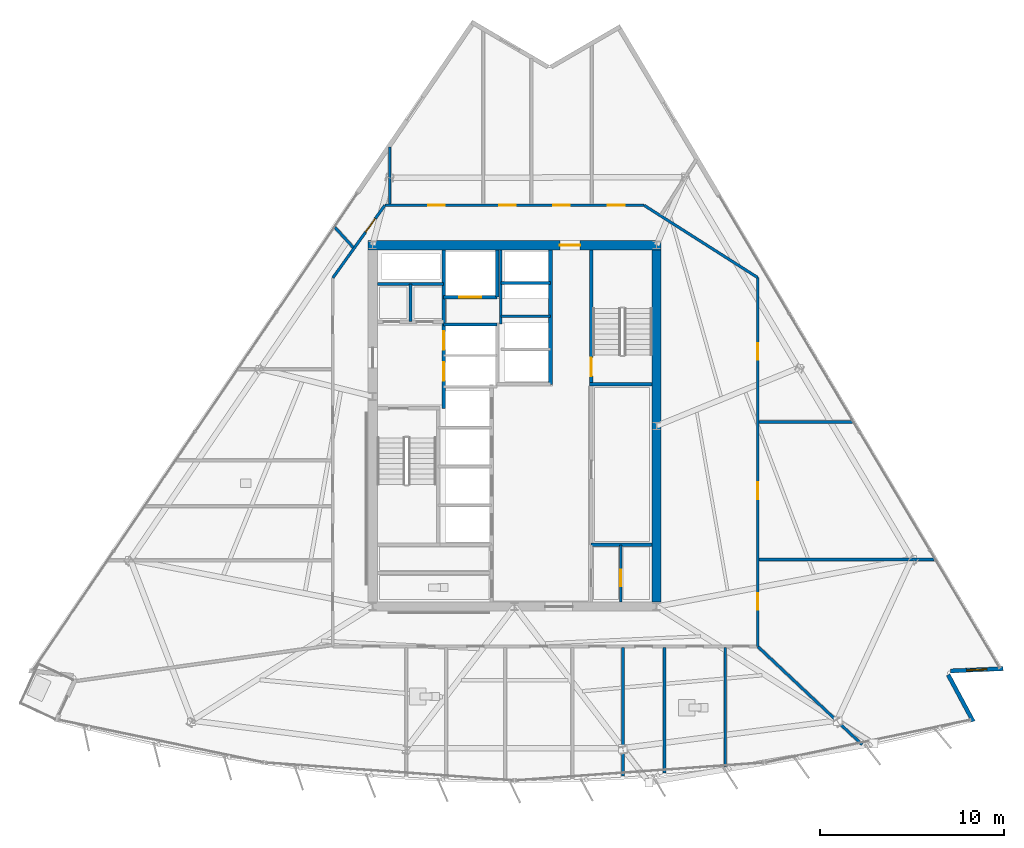
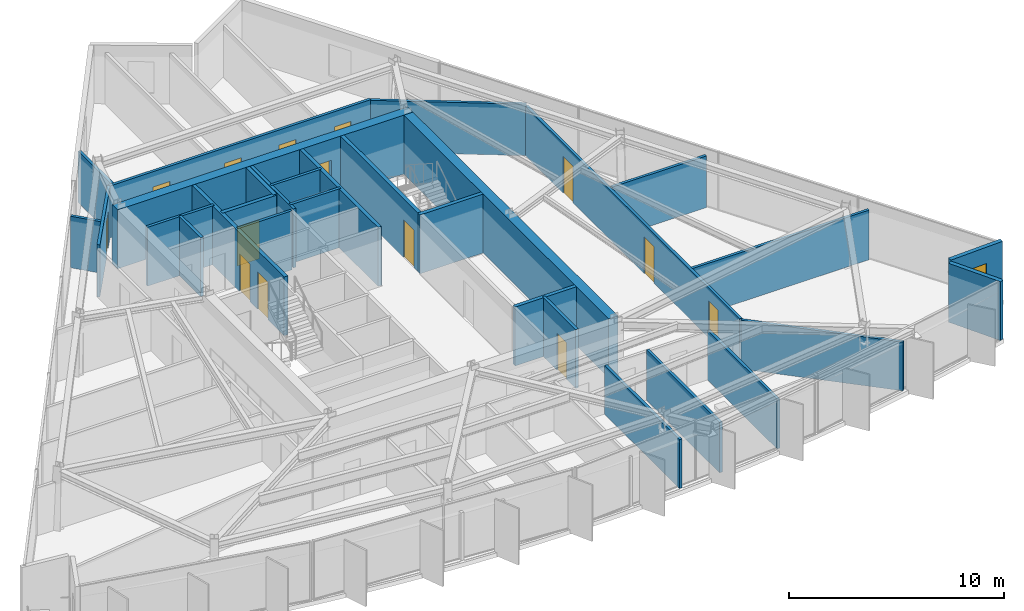
# One storey, part 9 of 15: 30 walls, 14 doors, 1 window, 15 openings.
"""IFC4 building model written with IfcOpenShell, lengths in metres."""

from ifc_helpers import new_model, si_unit, direction, frame, frame_2d, origin, place, context, subcontext, project, spatial, rectangle, extrude, material, layer, layer_set, type_object, element, fill, save


model = new_model("IFC4")

# Units and contexts
model_context = context("Model", 3, precision=1e-05, world=origin(), true_north=direction((0.0, 1.0)))
body_context = subcontext(model_context, "Body", "Model", "MODEL_VIEW")
ifc_project = project(units=[si_unit("LENGTHUNIT", "METRE"), si_unit("AREAUNIT", "SQUARE_METRE"), si_unit("VOLUMEUNIT", "CUBIC_METRE"), si_unit("PLANEANGLEUNIT", "RADIAN"), si_unit("MASSUNIT", "GRAM", prefix="KILO")], contexts=[model_context])

# Site, building, storey
site_placement = place(None, origin())
site = spatial("IfcSite", under=ifc_project, at=site_placement, CompositionType="ELEMENT")
building_placement = place(site_placement, origin())
building = spatial("IfcBuilding", under=site, at=building_placement, Name="Savorim Split Tower", CompositionType="ELEMENT")
storey_placement = place(building_placement, frame((0.0, 0.0, 167.39990234375)))
storey = spatial("IfcBuildingStorey", under=building, at=storey_placement, Name="L44", CompositionType="ELEMENT", Elevation=167.39990234375)

# Wall, opening, door
ifc_material_1 = material(Name="Concrete C60/75", Category="concrete")
ifc_layer_1 = layer(ifc_material_1, 0.5)
ifc_layer_set_1 = layer_set([ifc_layer_1], Name="WAL-COR-SH500")
wall_type_1 = type_object("IfcWallType", Name="WAL-COR-SH500", PredefinedType="SHEAR", material=ifc_layer_set_1)
wall_1_placement = place(storey_placement, frame((7.949951171875, 10.199951171875, 0.0), z_axis=(0.0, 0.0, 1.0), x_axis=(-1.0, 0.0, 0.0)))
wall_1 = element("IfcWall", 1, at=wall_1_placement, inside=storey, type_object=wall_type_1, Name="L44 Offset Core North Shear Wall", PredefinedType="SHEAR", context=body_context, shape_type="SweptSolid", body=[
    extrude(rectangle(XDim=15.89990234375, YDim=0.5, at=frame_2d((7.949951171875, 0.0))), origin(), (0.0, 0.0, 1.0), 3.35009765625),
])
opening_1_placement = place(wall_1_placement, frame((4.39990234375, 0.0, 0.0)))
opening_1 = element("IfcOpeningElement", 2, at=opening_1_placement, cuts=wall_1, Name="Opening DI-03", PredefinedType="OPENING", context=body_context, shape_type="SweptSolid", body=[
    extrude(rectangle(XDim=1.10009765625, YDim=2.14990234375, at=frame_2d((0.550048828125, 1.074951171875))), frame((0.0, 0.260009765625, 0.0), z_axis=(0.0, -1.0, 0.0), x_axis=(1.0, 0.0, 0.0)), (0.0, 0.0, 1.0), 0.52001953125),
])
ifc_material_2 = material(Name="Timber Fire Door Leaf", Category="wood")
door_type_1 = type_object("IfcDoorType", Name="DOR-FIR-1100", OperationType="NOTDEFINED", PredefinedType="DOOR", material=ifc_material_2)
door_1_placement = place(opening_1_placement, origin())
door_1 = element("IfcDoor", 3, at=door_1_placement, inside=storey, type_object=door_type_1, Name="DOR-L44-COR-NLOB - L44 North Corridor Lobby Fire Door", OperationType="SINGLE_SWING_LEFT", OverallHeight=2.14990234375, OverallWidth=1.10009765625, PredefinedType="DOOR", context=body_context, shape_type="SweptSolid", body=[
    extrude(rectangle(XDim=1.10009765625, YDim=2.14990234375, at=frame_2d((0.550048828125, 1.074951171875))), frame((0.0, 0.02490234375, 0.0), z_axis=(0.0, -1.0, 0.0), x_axis=(1.0, 0.0, 0.0)), (0.0, 0.0, 1.0), 0.050048828125),
])
fill(opening_1, door_1)

# Walls
wall_2_placement = place(storey_placement, frame((7.699951171875, 9.949951171875, 0.0), z_axis=(0.0, 0.0, 1.0), x_axis=(0.0, -1.0, 0.0)))
element("IfcWall", 4, at=wall_2_placement, inside=storey, type_object=wall_type_1, Name="L44 Offset Core East Shear Wall", PredefinedType="SHEAR", context=body_context, shape_type="SweptSolid", body=[
    extrude(rectangle(XDim=19.099853515625, YDim=0.5, at=frame_2d((9.5498046875, 0.0))), origin(), (0.0, 0.0, 1.0), 3.35009765625),
])
ifc_material_3 = material(Name="Precast concrete C40/50", Category="concrete")
ifc_layer_2 = layer(ifc_material_3, 0.219970703125)
ifc_layer_set_2 = layer_set([ifc_layer_2], Name="WAL-EXT-CRN220")
wall_type_2 = type_object("IfcWallType", Name="WAL-EXT-CRN220", PredefinedType="SOLIDWALL", material=ifc_layer_set_2)
wall_3_placement = place(storey_placement, frame((23.51123046875, -13.102294921875, 0.0), z_axis=(0.0, 0.0, 1.0), x_axis=(0.472804807667, -0.881167188362, 0.0)))
element("IfcWall", 5, at=wall_3_placement, inside=storey, type_object=wall_type_2, Name="L44 Notched Corner Facade Wall SE1", PredefinedType="SOLIDWALL", context=body_context, shape_type="SweptSolid", body=[
    extrude(rectangle(XDim=2.867919921875, YDim=0.219970703125, at=frame_2d((1.43408203125, 0.0))), origin(), (0.0, 0.0, 1.0), 3.35009765625),
])

# Wall, opening, window
wall_4_placement = place(storey_placement, frame((26.495849609375, -12.766845703125, 0.0), z_axis=(0.0, 0.0, 1.0), x_axis=(-0.999095763679, -0.042516526188, 0.0)))
wall_4 = element("IfcWall", 6, at=wall_4_placement, inside=storey, type_object=wall_type_2, Name="L44 Notched Corner Facade Wall SE", PredefinedType="SOLIDWALL", context=body_context, shape_type="SweptSolid", body=[
    extrude(rectangle(XDim=2.865478515625, YDim=0.219970703125, at=frame_2d((1.4326171875, 0.0))), origin(), (0.0, 0.0, 1.0), 3.35009765625),
])
opening_2_placement = place(wall_4_placement, frame((0.8828125, 0.0, 0.6201171875)))
opening_2 = element("IfcOpeningElement", 7, at=opening_2_placement, cuts=wall_4, Name="Opening WN-09", PredefinedType="OPENING", context=body_context, shape_type="SweptSolid", body=[
    extrude(rectangle(XDim=1.10009765625, YDim=1.800048828125, at=frame_2d((0.550048828125, 0.89990234375))), frame((0.0, 0.119873046875, 0.0), z_axis=(0.0, -1.0, 0.0), x_axis=(1.0, 0.0, 0.0)), (0.0, 0.0, 1.0), 0.239990234375),
])
ifc_material_4 = material(Name="Low-E Operable Double Glazing", Category="glass")
window_type = type_object("IfcWindowType", Name="WIN-TWR-1100x1800", PartitioningType="SINGLE_PANEL", PredefinedType="WINDOW", material=ifc_material_4)
window_placement = place(opening_2_placement, origin())
window = element("IfcWindow", 8, at=window_placement, inside=storey, type_object=window_type, Name="L44 Operable Corner Window SE", OverallHeight=1.800048828125, OverallWidth=1.10009765625, PartitioningType="SINGLE_PANEL", PredefinedType="WINDOW", context=body_context, shape_type="SweptSolid", body=[
    extrude(rectangle(XDim=1.10009765625, YDim=1.800048828125, at=frame_2d((0.550048828125, 0.89990234375))), frame((0.0, 0.030029296875, 0.0), z_axis=(0.0, -1.0, 0.0), x_axis=(1.0, 0.0, 0.0)), (0.0, 0.0, 1.0), 0.06005859375),
])
fill(opening_2, window)

# Wall, openings, doors
ifc_material_5 = material(Name="Concrete C50/60", Category="concrete")
ifc_layer_3 = layer(ifc_material_5, 0.199951171875)
ifc_layer_set_3 = layer_set([ifc_layer_3], Name="WAL-INT-RC200")
wall_type_3 = type_object("IfcWallType", Name="WAL-INT-RC200", PredefinedType="SOLIDWALL", material=ifc_layer_set_3)
wall_5_placement = place(storey_placement, frame((-3.85009765625, 1.35009765625, 0.0), z_axis=(0.0, 0.0, 1.0), x_axis=(0.0, 1.0, 0.0)))
wall_5 = element("IfcWall", 9, at=wall_5_placement, inside=storey, type_object=wall_type_3, Name="L44 Partition W-L44-CR03", PredefinedType="SOLIDWALL", context=body_context, shape_type="SweptSolid", body=[
    extrude(rectangle(XDim=8.594970703125, YDim=0.199951171875, at=frame_2d((4.29736328125, 0.0))), origin(), (0.0, 0.0, 1.0), 3.35009765625),
])
opening_3_placement = place(wall_5_placement, frame((1.5, 0.0, 0.0)))
opening_3 = element("IfcOpeningElement", 10, at=opening_3_placement, cuts=wall_5, Name="Opening LD-FFL", PredefinedType="OPENING", context=body_context, shape_type="SweptSolid", body=[
    extrude(rectangle(XDim=1.0, YDim=2.14990234375, at=frame_2d((0.5, 1.074951171875))), frame((0.0, 0.10986328125, 0.0), z_axis=(0.0, -1.0, 0.0), x_axis=(1.0, 0.0, 0.0)), (0.0, 0.0, 1.0), 0.219970703125),
])
opening_4_placement = place(wall_5_placement, frame((3.179931640625, 0.0, 0.0)))
opening_4 = element("IfcOpeningElement", 11, at=opening_4_placement, cuts=wall_5, Name="Opening LD-FFL", PredefinedType="OPENING", context=body_context, shape_type="SweptSolid", body=[
    extrude(rectangle(XDim=1.0, YDim=2.14990234375, at=frame_2d((0.5, 1.074951171875))), frame((0.0, 0.10986328125, 0.0), z_axis=(0.0, -1.0, 0.0), x_axis=(1.0, 0.0, 0.0)), (0.0, 0.0, 1.0), 0.219970703125),
])
ifc_material_6 = material(Name="Charcoal Anodised Aluminium", Category="aluminium")
door_type_2 = type_object("IfcDoorType", Name="DOR-SLD-LD1000", OperationType="NOTDEFINED", PredefinedType="DOOR", material=ifc_material_6)
door_2_placement = place(opening_3_placement, origin())
door_2 = element("IfcDoor", 12, at=door_2_placement, inside=storey, type_object=door_type_2, Name="DR-L44-LD-FFL1 - L44 Firefighting Lift FFL-1 Sliding Landing Door", OperationType="DOUBLE_DOOR_SLIDING", OverallHeight=2.14990234375, OverallWidth=1.0, PredefinedType="DOOR", context=body_context, shape_type="SweptSolid", body=[
    extrude(rectangle(XDim=1.0, YDim=2.14990234375, at=frame_2d((0.5, 1.074951171875))), frame((0.0, 0.02490234375, 0.0), z_axis=(0.0, -1.0, 0.0), x_axis=(1.0, 0.0, 0.0)), (0.0, 0.0, 1.0), 0.050048828125),
])
fill(opening_3, door_2)
door_3_placement = place(opening_4_placement, origin())
door_3 = element("IfcDoor", 13, at=door_3_placement, inside=storey, type_object=door_type_2, Name="DR-L44-LD-FFL2 - L44 Firefighting Lift FFL-2 Sliding Landing Door", OperationType="DOUBLE_DOOR_SLIDING", OverallHeight=2.14990234375, OverallWidth=1.0, PredefinedType="DOOR", context=body_context, shape_type="SweptSolid", body=[
    extrude(rectangle(XDim=1.0, YDim=2.14990234375, at=frame_2d((0.5, 1.074951171875))), frame((0.0, 0.02490234375, 0.0), z_axis=(0.0, -1.0, 0.0), x_axis=(1.0, 0.0, 0.0)), (0.0, 0.0, 1.0), 0.050048828125),
])
fill(opening_4, door_3)

# Wall, opening, door
wall_6_placement = place(storey_placement, frame((4.14990234375, 2.75, 0.0), z_axis=(0.0, 0.0, 1.0), x_axis=(0.0, 1.0, 0.0)))
wall_6 = element("IfcWall", 14, at=wall_6_placement, inside=storey, type_object=wall_type_3, Name="L44 Structural Shaft Wall W-L44-CR07", PredefinedType="SOLIDWALL", context=body_context, shape_type="SweptSolid", body=[
    extrude(rectangle(XDim=7.199951171875, YDim=0.199951171875, at=frame_2d((3.60009765625, 0.0))), origin(), (0.0, 0.0, 1.0), 3.35009765625),
])
opening_5_placement = place(wall_6_placement, frame((0.35009765625, 0.0, 0.0)))
opening_5 = element("IfcOpeningElement", 15, at=opening_5_placement, cuts=wall_6, Name="Opening DI-04", PredefinedType="OPENING", context=body_context, shape_type="SweptSolid", body=[
    extrude(rectangle(XDim=1.0, YDim=2.14990234375, at=frame_2d((0.5, 1.074951171875))), frame((0.0, 0.10986328125, 0.0), z_axis=(0.0, -1.0, 0.0), x_axis=(1.0, 0.0, 0.0)), (0.0, 0.0, 1.0), 0.219970703125),
])
door_type_3 = type_object("IfcDoorType", Name="DOR-FIR-1000", OperationType="NOTDEFINED", PredefinedType="DOOR", material=ifc_material_2)
door_4_placement = place(opening_5_placement, origin())
door_4 = element("IfcDoor", 16, at=door_4_placement, inside=storey, type_object=door_type_3, Name="DR-L44-ST2 - L44 Stair ST-2 Enclosure Door", OperationType="SINGLE_SWING_RIGHT", OverallHeight=2.14990234375, OverallWidth=1.0, PredefinedType="DOOR", context=body_context, shape_type="SweptSolid", body=[
    extrude(rectangle(XDim=1.0, YDim=2.14990234375, at=frame_2d((0.5, 1.074951171875))), frame((0.0, 0.02490234375, 0.0), z_axis=(0.0, -1.0, 0.0), x_axis=(1.0, 0.0, 0.0)), (0.0, 0.0, 1.0), 0.050048828125),
])
fill(opening_5, door_4)

# Wall
wall_7_placement = place(storey_placement, frame((4.050048828125, 2.64990234375, 0.0), z_axis=(0.0, 0.0, 1.0), x_axis=(1.0, 0.0, 0.0)))
element("IfcWall", 17, at=wall_7_placement, inside=storey, type_object=wall_type_3, Name="L44 Structural Shaft Wall W-L44-CR08", PredefinedType="SOLIDWALL", context=body_context, shape_type="SweptSolid", body=[
    extrude(rectangle(XDim=3.39990234375, YDim=0.199951171875, at=frame_2d((1.699951171875, 0.0))), origin(), (0.0, 0.0, 1.0), 3.35009765625),
])

# Wall, opening, door
wall_8_placement = place(storey_placement, frame((-3.85009765625, 7.3798828125, 0.0), z_axis=(0.0, 0.0, 1.0), x_axis=(1.0, 0.0, 0.0)))
wall_8 = element("IfcWall", 18, at=wall_8_placement, inside=storey, type_object=wall_type_3, Name="L44 Partition W-L44-SVLS", PredefinedType="SOLIDWALL", context=body_context, shape_type="SweptSolid", body=[
    extrude(rectangle(XDim=2.900146484375, YDim=0.199951171875, at=frame_2d((1.4501953125, 0.0))), origin(), (0.0, 0.0, 1.0), 3.35009765625),
])
opening_6_placement = place(wall_8_placement, frame((0.85009765625, 0.0, 0.0)))
opening_6 = element("IfcOpeningElement", 19, at=opening_6_placement, cuts=wall_8, Name="Opening LD-SV", PredefinedType="OPENING", context=body_context, shape_type="SweptSolid", body=[
    extrude(rectangle(XDim=1.199951171875, YDim=2.199951171875, at=frame_2d((0.60009765625, 1.10009765625))), frame((0.0, 0.10986328125, 0.0), z_axis=(0.0, -1.0, 0.0), x_axis=(1.0, 0.0, 0.0)), (0.0, 0.0, 1.0), 0.219970703125),
])
door_type_4 = type_object("IfcDoorType", Name="DOR-SLD-SV1200", OperationType="NOTDEFINED", PredefinedType="DOOR", material=ifc_material_6)
door_5_placement = place(opening_6_placement, origin())
door_5 = element("IfcDoor", 20, at=door_5_placement, inside=storey, type_object=door_type_4, Name="DR-L44-LD-SVL1 - L44 Service Lift SVL-1 Sliding Landing Door", OperationType="DOUBLE_DOOR_SLIDING", OverallHeight=2.199951171875, OverallWidth=1.199951171875, PredefinedType="DOOR", context=body_context, shape_type="SweptSolid", body=[
    extrude(rectangle(XDim=1.199951171875, YDim=2.199951171875, at=frame_2d((0.60009765625, 1.10009765625))), frame((0.0, 0.02490234375, 0.0), z_axis=(0.0, -1.0, 0.0), x_axis=(1.0, 0.0, 0.0)), (0.0, 0.0, 1.0), 0.050048828125),
])
fill(opening_6, door_5)

# Walls
wall_9_placement = place(storey_placement, frame((-0.949951171875, 7.3798828125, 0.0), z_axis=(0.0, 0.0, 1.0), x_axis=(0.0, 1.0, 0.0)))
element("IfcWall", 21, at=wall_9_placement, inside=storey, type_object=wall_type_3, Name="L44 Partition W-L44-SVLE", PredefinedType="SOLIDWALL", context=body_context, shape_type="SweptSolid", body=[
    extrude(rectangle(XDim=2.565185546875, YDim=0.199951171875, at=frame_2d((1.28271484375, 0.0))), origin(), (0.0, 0.0, 1.0), 3.35009765625),
])
wall_10_placement = place(storey_placement, frame((1.949951171875, 2.64990234375, 0.0), z_axis=(0.0, 0.0, 1.0), x_axis=(0.0, 1.0, 0.0)))
element("IfcWall", 22, at=wall_10_placement, inside=storey, type_object=wall_type_3, Name="L44 Partition W-L44-B3FRONT", PredefinedType="SOLIDWALL", context=body_context, shape_type="SweptSolid", body=[
    extrude(rectangle(XDim=7.295166015625, YDim=0.199951171875, at=frame_2d((3.6474609375, 0.0))), origin(), (0.0, 0.0, 1.0), 3.35009765625),
])
wall_11_placement = place(storey_placement, frame((4.14990234375, -6.050048828125, 0.0), z_axis=(0.0, 0.0, 1.0), x_axis=(1.0, 0.0, 0.0)))
element("IfcWall", 23, at=wall_11_placement, inside=storey, type_object=wall_type_3, Name="L44 Partition W-L44-KSEP-E", PredefinedType="SOLIDWALL", context=body_context, shape_type="SweptSolid", body=[
    extrude(rectangle(XDim=3.295166015625, YDim=0.199951171875, at=frame_2d((1.6474609375, 0.0))), origin(), (0.0, 0.0, 1.0), 3.35009765625),
])
ifc_material_7 = material(Name="Acoustic Gypsum Partition Board")
ifc_layer_4 = layer(ifc_material_7, 0.14990234375)
ifc_layer_set_4 = layer_set([ifc_layer_4], Name="WAL-PAR-150")
wall_type_4 = type_object("IfcWallType", Name="WAL-PAR-150", PredefinedType="PARTITIONING", material=ifc_layer_set_4)
wall_12_placement = place(storey_placement, frame((-7.445068359375, 8.10009765625, 0.0), z_axis=(0.0, 0.0, 1.0), x_axis=(1.0, 0.0, 0.0)))
element("IfcWall", 24, at=wall_12_placement, inside=storey, type_object=wall_type_4, Name="L44 Partition W-L44-CR05", PredefinedType="PARTITIONING", context=body_context, shape_type="SweptSolid", body=[
    extrude(rectangle(XDim=3.594970703125, YDim=0.14990234375, at=frame_2d((1.79736328125, 0.0))), origin(), (0.0, 0.0, 1.0), 3.35009765625),
])
wall_13_placement = place(storey_placement, frame((-5.64990234375, 6.050048828125, 0.0), z_axis=(0.0, 0.0, 1.0), x_axis=(0.0, 1.0, 0.0)))
element("IfcWall", 25, at=wall_13_placement, inside=storey, type_object=wall_type_4, Name="L44 Partition W-L44-CR06", PredefinedType="PARTITIONING", context=body_context, shape_type="SweptSolid", body=[
    extrude(rectangle(XDim=2.050048828125, YDim=0.14990234375, at=frame_2d((1.02490234375, 0.0))), origin(), (0.0, 0.0, 1.0), 3.35009765625),
])
wall_14_placement = place(storey_placement, frame((-3.85009765625, 5.89990234375, 0.0), z_axis=(0.0, 0.0, 1.0), x_axis=(1.0, 0.0, 0.0)))
element("IfcWall", 26, at=wall_14_placement, inside=storey, type_object=wall_type_4, Name="L44 Partition W-L44-FFLD2", PredefinedType="PARTITIONING", context=body_context, shape_type="SweptSolid", body=[
    extrude(rectangle(XDim=2.900146484375, YDim=0.14990234375, at=frame_2d((1.4501953125, 0.0))), origin(), (0.0, 0.0, 1.0), 3.35009765625),
])
wall_15_placement = place(storey_placement, frame((-0.75, 5.919921875, 0.0), z_axis=(0.0, 0.0, 1.0), x_axis=(0.0, 1.0, 0.0)))
element("IfcWall", 27, at=wall_15_placement, inside=storey, type_object=wall_type_4, Name="L44 Partition W-L44-B3WEST", PredefinedType="PARTITIONING", context=body_context, shape_type="SweptSolid", body=[
    extrude(rectangle(XDim=4.025146484375, YDim=0.14990234375, at=frame_2d((2.0126953125, 0.0))), origin(), (0.0, 0.0, 1.0), 3.35009765625),
])
for number, where, z_axis, x_axis, name in (
    (28, (-0.75, 6.35009765625, 0.0), (0.0, 0.0, 1.0), (1.0, 0.0, 0.0), "L44 Partition W-L44-B3DIV2"),
    (29, (-0.75, 8.14990234375, 0.0), (0.0, 0.0, 1.0), (1.0, 0.0, 0.0), "L44 Partition W-L44-B3DIV3"),
):
    element("IfcWall", number, at=place(storey_placement, frame(where, z_axis=z_axis, x_axis=x_axis)), inside=storey, type_object=wall_type_4, Name=name, PredefinedType="PARTITIONING", context=body_context, shape_type="SweptSolid", body=[
        extrude(rectangle(XDim=2.699951171875, YDim=0.14990234375, at=frame_2d((1.35009765625, 0.0))), origin(), (0.0, 0.0, 1.0), 3.35009765625),
    ])

# Wall, opening, door
wall_16_placement = place(storey_placement, frame((5.75, -9.14501953125, 0.0), z_axis=(0.0, 0.0, 1.0), x_axis=(0.0, 1.0, 0.0)))
wall_16 = element("IfcWall", 30, at=wall_16_placement, inside=storey, type_object=wall_type_4, Name="L44 Partition W-L44-K2E", PredefinedType="PARTITIONING", context=body_context, shape_type="SweptSolid", body=[
    extrude(rectangle(XDim=3.094970703125, YDim=0.14990234375, at=frame_2d((1.54736328125, 0.0))), origin(), (0.0, 0.0, 1.0), 3.35009765625),
])
opening_7_placement = place(wall_16_placement, frame((0.844970703125, 0.0, 0.0)))
opening_7 = element("IfcOpeningElement", 31, at=opening_7_placement, cuts=wall_16, Name="Opening DI-06", PredefinedType="OPENING", context=body_context, shape_type="SweptSolid", body=[
    extrude(rectangle(XDim=0.89990234375, YDim=2.10009765625, at=frame_2d((0.449951171875, 1.050048828125))), frame((0.0, 0.0849609375, 0.0), z_axis=(0.0, -1.0, 0.0), x_axis=(1.0, 0.0, 0.0)), (0.0, 0.0, 1.0), 0.169921875),
])
door_type_5 = type_object("IfcDoorType", Name="DOR-FIR-900", OperationType="NOTDEFINED", PredefinedType="DOOR", material=ifc_material_2)
door_6_placement = place(opening_7_placement, origin())
door_6 = element("IfcDoor", 32, at=door_6_placement, inside=storey, type_object=door_type_5, Name="DR-L44-K2REF - L44 Recycling Room Door", OperationType="SINGLE_SWING_RIGHT", OverallHeight=2.10009765625, OverallWidth=0.89990234375, PredefinedType="DOOR", context=body_context, shape_type="SweptSolid", body=[
    extrude(rectangle(XDim=0.89990234375, YDim=2.10009765625, at=frame_2d((0.449951171875, 1.050048828125))), frame((0.0, 0.02490234375, 0.0), z_axis=(0.0, -1.0, 0.0), x_axis=(1.0, 0.0, 0.0)), (0.0, 0.0, 1.0), 0.050048828125),
])
fill(opening_7, door_6)

wall_17_placement = place(storey_placement, frame((-9.860107421875, 8.42578125, 0.0), z_axis=(0.0, 0.0, 1.0), x_axis=(0.582449511476, 0.812866881218, 0.0)))
wall_17 = element("IfcWall", 33, at=wall_17_placement, inside=storey, type_object=wall_type_4, Name="L44 Partition W-L44-COR-02", PredefinedType="PARTITIONING", context=body_context, shape_type="SweptSolid", body=[
    extrude(rectangle(XDim=4.840087890625, YDim=0.14990234375, at=frame_2d((2.419921875, 0.0))), origin(), (0.0, 0.0, 1.0), 2.965087890625),
])
opening_8_placement = place(wall_17_placement, frame((3.05517578125, 0.0, 0.0)))
opening_8 = element("IfcOpeningElement", 34, at=opening_8_placement, cuts=wall_17, Name="Opening DI-06", PredefinedType="OPENING", context=body_context, shape_type="SweptSolid", body=[
    extrude(rectangle(XDim=0.89990234375, YDim=2.10009765625, at=frame_2d((0.449951171875, 1.050048828125))), frame((0.0, 0.0849609375, 0.0), z_axis=(0.0, -1.0, 0.0), x_axis=(1.0, 0.0, 0.0)), (0.0, 0.0, 1.0), 0.169921875),
])
door_7_placement = place(opening_8_placement, origin())
door_7 = element("IfcDoor", 35, at=door_7_placement, inside=storey, type_object=door_type_5, Name="DR-L44-RM19 - L44 Quiet Study Room Entry Door", OperationType="SINGLE_SWING_RIGHT", OverallHeight=2.10009765625, OverallWidth=0.89990234375, PredefinedType="DOOR", context=body_context, shape_type="SweptSolid", body=[
    extrude(rectangle(XDim=0.89990234375, YDim=2.10009765625, at=frame_2d((0.449951171875, 1.050048828125))), frame((0.0, 0.02490234375, 0.0), z_axis=(0.0, -1.0, 0.0), x_axis=(1.0, 0.0, 0.0)), (0.0, 0.0, 1.0), 0.050048828125),
])
fill(opening_8, door_7)

# Wall, openings, doors
wall_18_placement = place(storey_placement, frame((-7.041015625, 12.360107421875, 0.0), z_axis=(0.0, 0.0, 1.0), x_axis=(1.0, 0.0, 0.0)))
wall_18 = element("IfcWall", 36, at=wall_18_placement, inside=storey, type_object=wall_type_4, Name="L44 Partition W-L44-COR-03", PredefinedType="PARTITIONING", context=body_context, shape_type="SweptSolid", body=[
    extrude(rectangle(XDim=14.064208984375, YDim=0.14990234375, at=frame_2d((7.0322265625, 0.0))), origin(), (0.0, 0.0, 1.0), 2.965087890625),
])
opening_9_placement = place(wall_18_placement, frame((12.10302734375, 0.0, 0.0)))
opening_9 = element("IfcOpeningElement", 37, at=opening_9_placement, cuts=wall_18, Name="Opening DI-06", PredefinedType="OPENING", context=body_context, shape_type="SweptSolid", body=[
    extrude(rectangle(XDim=0.89990234375, YDim=2.10009765625, at=frame_2d((0.449951171875, 1.050048828125))), frame((0.0, 0.0849609375, 0.0), z_axis=(0.0, -1.0, 0.0), x_axis=(1.0, 0.0, 0.0)), (0.0, 0.0, 1.0), 0.169921875),
])
opening_10_placement = place(wall_18_placement, frame((9.135986328125, 0.0, 0.0)))
opening_10 = element("IfcOpeningElement", 38, at=opening_10_placement, cuts=wall_18, Name="Opening DI-06", PredefinedType="OPENING", context=body_context, shape_type="SweptSolid", body=[
    extrude(rectangle(XDim=0.89990234375, YDim=2.10009765625, at=frame_2d((0.449951171875, 1.050048828125))), frame((0.0, 0.0849609375, 0.0), z_axis=(0.0, -1.0, 0.0), x_axis=(1.0, 0.0, 0.0)), (0.0, 0.0, 1.0), 0.169921875),
])
opening_11_placement = place(wall_18_placement, frame((6.197998046875, 0.0, 0.0)))
opening_11 = element("IfcOpeningElement", 39, at=opening_11_placement, cuts=wall_18, Name="Opening DI-06", PredefinedType="OPENING", context=body_context, shape_type="SweptSolid", body=[
    extrude(rectangle(XDim=0.89990234375, YDim=2.10009765625, at=frame_2d((0.449951171875, 1.050048828125))), frame((0.0, 0.0849609375, 0.0), z_axis=(0.0, -1.0, 0.0), x_axis=(1.0, 0.0, 0.0)), (0.0, 0.0, 1.0), 0.169921875),
])
opening_12_placement = place(wall_18_placement, frame((2.356689453125, 0.0, 0.0)))
opening_12 = element("IfcOpeningElement", 40, at=opening_12_placement, cuts=wall_18, Name="Opening DI-06", PredefinedType="OPENING", context=body_context, shape_type="SweptSolid", body=[
    extrude(rectangle(XDim=0.89990234375, YDim=2.10009765625, at=frame_2d((0.449951171875, 1.050048828125))), frame((0.0, 0.0849609375, 0.0), z_axis=(0.0, -1.0, 0.0), x_axis=(1.0, 0.0, 0.0)), (0.0, 0.0, 1.0), 0.169921875),
])
door_8_placement = place(opening_9_placement, origin())
door_8 = element("IfcDoor", 41, at=door_8_placement, inside=storey, type_object=door_type_5, Name="DR-L44-RM15 - L44 Quiet Study Room Entry Door", OperationType="SINGLE_SWING_RIGHT", OverallHeight=2.10009765625, OverallWidth=0.89990234375, PredefinedType="DOOR", context=body_context, shape_type="SweptSolid", body=[
    extrude(rectangle(XDim=0.89990234375, YDim=2.10009765625, at=frame_2d((0.449951171875, 1.050048828125))), frame((0.0, 0.02490234375, 0.0), z_axis=(0.0, -1.0, 0.0), x_axis=(1.0, 0.0, 0.0)), (0.0, 0.0, 1.0), 0.050048828125),
])
fill(opening_9, door_8)
door_9_placement = place(opening_10_placement, origin())
door_9 = element("IfcDoor", 42, at=door_9_placement, inside=storey, type_object=door_type_5, Name="DR-L44-RM16 - L44 Quiet Study Room Entry Door", OperationType="SINGLE_SWING_LEFT", OverallHeight=2.10009765625, OverallWidth=0.89990234375, PredefinedType="DOOR", context=body_context, shape_type="SweptSolid", body=[
    extrude(rectangle(XDim=0.89990234375, YDim=2.10009765625, at=frame_2d((0.449951171875, 1.050048828125))), frame((0.0, 0.02490234375, 0.0), z_axis=(0.0, -1.0, 0.0), x_axis=(1.0, 0.0, 0.0)), (0.0, 0.0, 1.0), 0.050048828125),
])
fill(opening_10, door_9)
door_10_placement = place(opening_11_placement, origin())
door_10 = element("IfcDoor", 43, at=door_10_placement, inside=storey, type_object=door_type_5, Name="DR-L44-RM17 - L44 Quiet Study Room Entry Door", OperationType="SINGLE_SWING_RIGHT", OverallHeight=2.10009765625, OverallWidth=0.89990234375, PredefinedType="DOOR", context=body_context, shape_type="SweptSolid", body=[
    extrude(rectangle(XDim=0.89990234375, YDim=2.10009765625, at=frame_2d((0.449951171875, 1.050048828125))), frame((0.0, 0.02490234375, 0.0), z_axis=(0.0, -1.0, 0.0), x_axis=(1.0, 0.0, 0.0)), (0.0, 0.0, 1.0), 0.050048828125),
])
fill(opening_11, door_10)
door_11_placement = place(opening_12_placement, origin())
door_11 = element("IfcDoor", 44, at=door_11_placement, inside=storey, type_object=door_type_5, Name="DR-L44-RM18 - L44 Quiet Study Room Entry Door", OperationType="SINGLE_SWING_LEFT", OverallHeight=2.10009765625, OverallWidth=0.89990234375, PredefinedType="DOOR", context=body_context, shape_type="SweptSolid", body=[
    extrude(rectangle(XDim=0.89990234375, YDim=2.10009765625, at=frame_2d((0.449951171875, 1.050048828125))), frame((0.0, 0.02490234375, 0.0), z_axis=(0.0, -1.0, 0.0), x_axis=(1.0, 0.0, 0.0)), (0.0, 0.0, 1.0), 0.050048828125),
])
fill(opening_12, door_11)

# Wall
wall_19_placement = place(storey_placement, frame((7.023193359375, 12.360107421875, 0.0), z_axis=(0.0, 0.0, 1.0), x_axis=(0.84376480085, -0.536713108511, 0.0)))
element("IfcWall", 45, at=wall_19_placement, inside=storey, type_object=wall_type_4, Name="L44 Partition W-L44-COR-04", PredefinedType="PARTITIONING", context=body_context, shape_type="SweptSolid", body=[
    extrude(rectangle(XDim=7.296630859375, YDim=0.14990234375, at=frame_2d((3.6484375, 0.0))), origin(), (0.0, 0.0, 1.0), 2.93505859375),
])

# Wall, openings, doors
wall_20_placement = place(storey_placement, frame((13.179931640625, 8.44384765625, 0.0), z_axis=(0.0, 0.0, 1.0), x_axis=(0.0, -1.0, 0.0)))
wall_20 = element("IfcWall", 46, at=wall_20_placement, inside=storey, type_object=wall_type_4, Name="L44 Partition W-L44-COR-05", PredefinedType="PARTITIONING", context=body_context, shape_type="SweptSolid", body=[
    extrude(rectangle(XDim=20.00390625, YDim=0.14990234375, at=frame_2d((10.001953125, 0.0))), origin(), (0.0, 0.0, 1.0), 2.8251953125),
])
opening_13_placement = place(wall_20_placement, frame((17.109130859375, 0.0, 0.0)))
opening_13 = element("IfcOpeningElement", 47, at=opening_13_placement, cuts=wall_20, Name="Opening DI-06", PredefinedType="OPENING", context=body_context, shape_type="SweptSolid", body=[
    extrude(rectangle(XDim=0.89990234375, YDim=2.10009765625, at=frame_2d((0.449951171875, 1.050048828125))), frame((0.0, 0.0849609375, 0.0), z_axis=(0.0, -1.0, 0.0), x_axis=(1.0, 0.0, 0.0)), (0.0, 0.0, 1.0), 0.169921875),
])
opening_14_placement = place(wall_20_placement, frame((11.110107421875, 0.0, 0.0)))
opening_14 = element("IfcOpeningElement", 48, at=opening_14_placement, cuts=wall_20, Name="Opening DI-06", PredefinedType="OPENING", context=body_context, shape_type="SweptSolid", body=[
    extrude(rectangle(XDim=0.89990234375, YDim=2.10009765625, at=frame_2d((0.449951171875, 1.050048828125))), frame((0.0, 0.0849609375, 0.0), z_axis=(0.0, -1.0, 0.0), x_axis=(1.0, 0.0, 0.0)), (0.0, 0.0, 1.0), 0.169921875),
])
opening_15_placement = place(wall_20_placement, frame((3.552978515625, 0.0, 0.0)))
opening_15 = element("IfcOpeningElement", 49, at=opening_15_placement, cuts=wall_20, Name="Opening DI-06", PredefinedType="OPENING", context=body_context, shape_type="SweptSolid", body=[
    extrude(rectangle(XDim=0.89990234375, YDim=2.10009765625, at=frame_2d((0.449951171875, 1.050048828125))), frame((0.0, 0.0849609375, 0.0), z_axis=(0.0, -1.0, 0.0), x_axis=(1.0, 0.0, 0.0)), (0.0, 0.0, 1.0), 0.169921875),
])
door_12_placement = place(opening_13_placement, origin())
door_12 = element("IfcDoor", 50, at=door_12_placement, inside=storey, type_object=door_type_5, Name="DR-L44-RM12 - L44 Co-Working Commons Entry Door", OperationType="SINGLE_SWING_LEFT", OverallHeight=2.10009765625, OverallWidth=0.89990234375, PredefinedType="DOOR", context=body_context, shape_type="SweptSolid", body=[
    extrude(rectangle(XDim=0.89990234375, YDim=2.10009765625, at=frame_2d((0.449951171875, 1.050048828125))), frame((0.0, 0.02490234375, 0.0), z_axis=(0.0, -1.0, 0.0), x_axis=(1.0, 0.0, 0.0)), (0.0, 0.0, 1.0), 0.050048828125),
])
fill(opening_13, door_12)
door_13_placement = place(opening_14_placement, origin())
door_13 = element("IfcDoor", 51, at=door_13_placement, inside=storey, type_object=door_type_5, Name="DR-L44-RM13 - L44 Quiet Study Room Entry Door", OperationType="SINGLE_SWING_RIGHT", OverallHeight=2.10009765625, OverallWidth=0.89990234375, PredefinedType="DOOR", context=body_context, shape_type="SweptSolid", body=[
    extrude(rectangle(XDim=0.89990234375, YDim=2.10009765625, at=frame_2d((0.449951171875, 1.050048828125))), frame((0.0, 0.02490234375, 0.0), z_axis=(0.0, -1.0, 0.0), x_axis=(1.0, 0.0, 0.0)), (0.0, 0.0, 1.0), 0.050048828125),
])
fill(opening_14, door_13)
door_14_placement = place(opening_15_placement, origin())
door_14 = element("IfcDoor", 52, at=door_14_placement, inside=storey, type_object=door_type_5, Name="DR-L44-RM14 - L44 Quiet Study Room Entry Door", OperationType="SINGLE_SWING_LEFT", OverallHeight=2.10009765625, OverallWidth=0.89990234375, PredefinedType="DOOR", context=body_context, shape_type="SweptSolid", body=[
    extrude(rectangle(XDim=0.89990234375, YDim=2.10009765625, at=frame_2d((0.449951171875, 1.050048828125))), frame((0.0, 0.02490234375, 0.0), z_axis=(0.0, -1.0, 0.0), x_axis=(1.0, 0.0, 0.0)), (0.0, 0.0, 1.0), 0.050048828125),
])
fill(opening_15, door_14)

# Walls
wall_21_placement = place(storey_placement, frame((5.873779296875, -11.6201171875, 0.0), z_axis=(0.0, 0.0, 1.0), x_axis=(0.0, -1.0, 0.0)))
element("IfcWall", 53, at=wall_21_placement, inside=storey, type_object=wall_type_4, Name="L44 Partition W-L44-PRAD03", PredefinedType="PARTITIONING", context=body_context, shape_type="SweptSolid", body=[
    extrude(rectangle(XDim=6.9794921875, YDim=0.14990234375, at=frame_2d((3.48974609375, 0.0))), origin(), (0.0, 0.0, 1.0), 2.775146484375),
])
wall_22_placement = place(storey_placement, frame((13.19873046875, -11.578857421875, 0.0), z_axis=(0.0, 0.0, 1.0), x_axis=(0.728641814506, -0.684894959942, 0.0)))
element("IfcWall", 54, at=wall_22_placement, inside=storey, type_object=wall_type_4, Name="L44 Partition W-L44-PRAD04", PredefinedType="PARTITIONING", context=body_context, shape_type="SweptSolid", body=[
    extrude(rectangle(XDim=7.751708984375, YDim=0.14990234375, at=frame_2d((3.8759765625, 0.0))), origin(), (0.0, 0.0, 1.0), 2.775146484375),
])
wall_23_placement = place(storey_placement, frame((13.239990234375, -6.8486328125, 0.0), z_axis=(0.0, 0.0, 1.0), x_axis=(1.0, 0.0, 0.0)))
element("IfcWall", 55, at=wall_23_placement, inside=storey, type_object=wall_type_4, Name="L44 Partition W-L44-PRAD05", PredefinedType="PARTITIONING", context=body_context, shape_type="SweptSolid", body=[
    extrude(rectangle(XDim=9.513916015625, YDim=0.14990234375, at=frame_2d((4.7568359375, 0.0))), origin(), (0.0, 0.0, 1.0), 2.8251953125),
])
wall_24_placement = place(storey_placement, frame((-6.7724609375, 12.419921875, 0.0), z_axis=(0.0, 0.0, 1.0), x_axis=(0.0, 1.0, 0.0)))
element("IfcWall", 56, at=wall_24_placement, inside=storey, type_object=wall_type_4, Name="L44 Partition W-L44-PRAD08", PredefinedType="PARTITIONING", context=body_context, shape_type="SweptSolid", body=[
    extrude(rectangle(XDim=3.109375, YDim=0.14990234375, at=frame_2d((1.5546875, 0.0))), origin(), (0.0, 0.0, 1.0), 2.93505859375),
])
wall_25_placement = place(storey_placement, frame((11.422119140625, -11.6201171875, 0.0), z_axis=(0.0, 0.0, 1.0), x_axis=(0.0, -1.0, 0.0)))
element("IfcWall", 57, at=wall_25_placement, inside=storey, type_object=wall_type_4, Name="L44 Partition W-L44-SUB03", PredefinedType="PARTITIONING", context=body_context, shape_type="SweptSolid", body=[
    extrude(rectangle(XDim=6.469970703125, YDim=0.14990234375, at=frame_2d((3.23486328125, 0.0))), origin(), (0.0, 0.0, 1.0), 2.8251953125),
])
wall_26_placement = place(storey_placement, frame((-8.75048828125, 10.07421875, 0.0), z_axis=(0.0, 0.0, 1.0), x_axis=(-0.673703282985, 0.739001952971, 0.0)))
element("IfcWall", 58, at=wall_26_placement, inside=storey, type_object=wall_type_4, Name="L44 Partition W-L44-SUB05", PredefinedType="PARTITIONING", context=body_context, shape_type="SweptSolid", body=[
    extrude(rectangle(XDim=1.47314453125, YDim=0.14990234375, at=frame_2d((0.736572265625, 0.0))), origin(), (0.0, 0.0, 1.0), 2.93505859375),
])
wall_27_placement = place(storey_placement, frame((8.1279296875, -11.6201171875, 0.0), z_axis=(0.0, 0.0, 1.0), x_axis=(0.0, -1.0, 0.0)))
element("IfcWall", 59, at=wall_27_placement, inside=storey, type_object=wall_type_4, Name="L44 Partition W-L44-SUB10", PredefinedType="PARTITIONING", context=body_context, shape_type="SweptSolid", body=[
    extrude(rectangle(XDim=6.81005859375, YDim=0.14990234375, at=frame_2d((3.405029296875, 0.0))), origin(), (0.0, 0.0, 1.0), 2.875),
])
wall_28_placement = place(storey_placement, frame((13.239990234375, 0.6162109375, 0.0), z_axis=(0.0, 0.0, 1.0), x_axis=(1.0, 0.0, 0.0)))
element("IfcWall", 60, at=wall_28_placement, inside=storey, type_object=wall_type_4, Name="L44 Partition W-L44-SUB11", PredefinedType="PARTITIONING", context=body_context, shape_type="SweptSolid", body=[
    extrude(rectangle(XDim=5.074951171875, YDim=0.14990234375, at=frame_2d((2.53759765625, 0.0))), origin(), (0.0, 0.0, 1.0), 2.93505859375),
])

save(model, "model.ifc")
